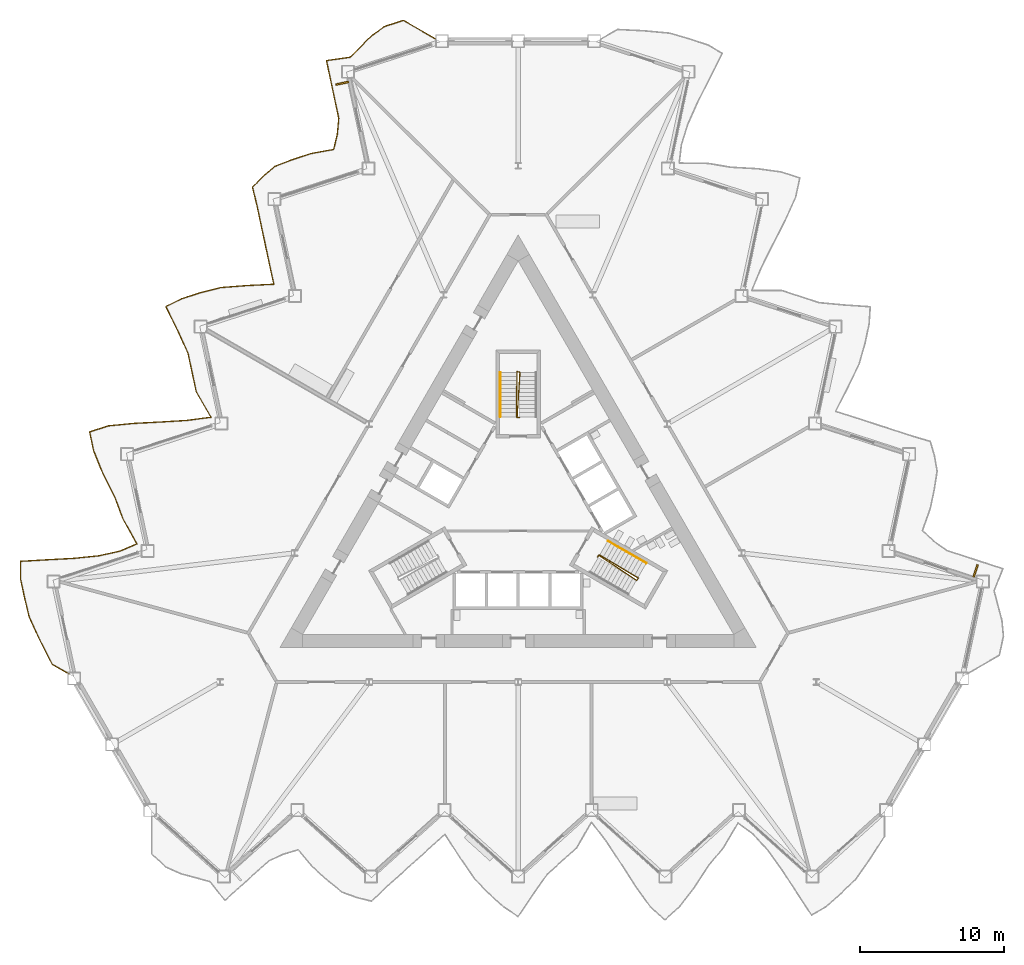
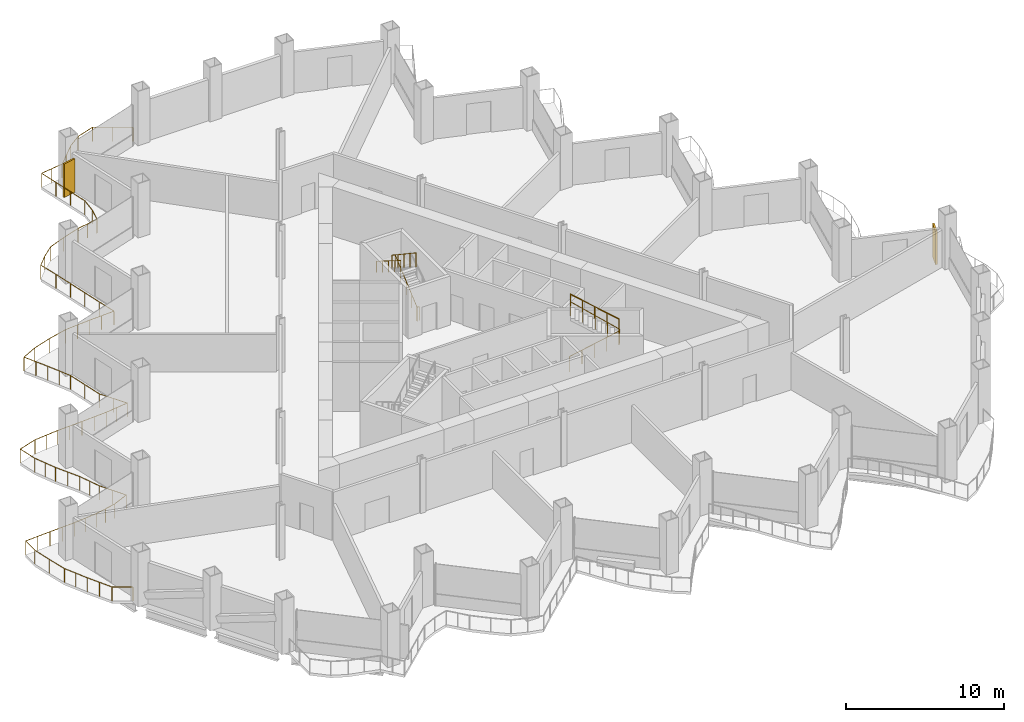
# One storey, part 18 of 21: 5 railings, 2 shading devices.
"""IFC4 building model written with IfcOpenShell, lengths in metres."""

import ifcopenshell
import ifcopenshell.guid

model = None  # the IFC model being written
_history = None  # IfcOwnerHistory: only IFC2X3 demands one
_inside = {}  # id of a spatial element -> (the spatial element, [elements in it])
_under = {}  # id of a project, library or spatial element -> (it, [spatial elements below it])
_declared = {}  # id of a project -> (the project, [libraries it declares])
_typed = {}  # id of a type object -> (the type object, [elements of that type])
_made_of = {}  # id of a material, layer set ... -> (it, [elements and type objects made of it])


def new_model(schema):
    """Start an empty IFC model of exactly this schema.

    Asked for "IFC4X3", IfcOpenShell would pick the latest addendum, in which some entities
    have other attributes; the version numbers below select the first issue.
    IFC2X3 requires an IfcOwnerHistory on every rooted entity: one is made here for all.
    """
    global model, _history
    if schema == "IFC4X3":
        model = ifcopenshell.file(schema_version=(4, 3, 0, 0))
    else:
        model = ifcopenshell.file(schema=schema)
    _inside.clear()
    _under.clear()
    _declared.clear()
    _typed.clear()
    _made_of.clear()
    _history = None
    if model.schema == "IFC2X3":
        org = make("IfcOrganization", Name="unknown")
        user = make(
            "IfcPersonAndOrganization",
            ThePerson=make("IfcPerson", FamilyName="unknown"),
            TheOrganization=org,
        )
        app = make(
            "IfcApplication",
            ApplicationDeveloper=org,
            Version="unknown",
            ApplicationFullName="unknown",
            ApplicationIdentifier="unknown",
        )
        _history = make(
            "IfcOwnerHistory",
            OwningUser=user,
            OwningApplication=app,
            ChangeAction="ADDED",
            CreationDate=0,
        )
    return model


def make(cls, **values):
    """One entity of the class cls with the attributes given. An attribute that is None is left unset."""
    return model.create_entity(
        cls, **{name: value for name, value in values.items() if value is not None}
    )


def rooted(cls, **values):
    """An entity with a GlobalId (a new one), such as an element, a storey or a relation."""
    return make(cls, GlobalId=ifcopenshell.guid.new(), OwnerHistory=_history, **values)


def si_unit(unit_type, name, prefix=None):
    """IfcSIUnit, for example si_unit("LENGTHUNIT", "METRE", prefix="MILLI")."""
    return make("IfcSIUnit", UnitType=unit_type, Prefix=prefix, Name=name)


def assignment(units):
    """IfcUnitAssignment: the units of a project."""
    return None if units is None else make("IfcUnitAssignment", Units=units)


def point(xyz):
    """IfcCartesianPoint."""
    return None if xyz is None else make("IfcCartesianPoint", Coordinates=xyz)


def direction(xyz):
    """IfcDirection."""
    return None if xyz is None else make("IfcDirection", DirectionRatios=xyz)


def frame(location, z_axis=None, x_axis=None):
    """IfcAxis2Placement3D, a coordinate frame: its origin and axes. An axis left out is left unset."""
    return make(
        "IfcAxis2Placement3D",
        Location=point(location),
        Axis=direction(z_axis),
        RefDirection=direction(x_axis),
    )


def frame_2d(location, x_axis=None):
    """IfcAxis2Placement2D, a coordinate frame in the plane: its origin and x axis."""
    return make(
        "IfcAxis2Placement2D", Location=point(location), RefDirection=direction(x_axis)
    )


def origin():
    """The frame at (0, 0, 0) with its axes left unset."""
    return frame((0.0, 0.0, 0.0))


def origin_2d():
    """The frame at (0, 0) in the plane with its x axis left unset."""
    return frame_2d((0.0, 0.0))


def place(relative_to, where):
    """IfcLocalPlacement: puts the frame where relative to a parent placement (None: the world)."""
    return make(
        "IfcLocalPlacement", PlacementRelTo=relative_to, RelativePlacement=where
    )


def context(
    kind, dimensions, precision=None, world=None, true_north=None, identifier=None
):
    """IfcGeometricRepresentationContext, for example the 3D "Model" context."""
    return make(
        "IfcGeometricRepresentationContext",
        ContextIdentifier=identifier,
        ContextType=kind,
        CoordinateSpaceDimension=dimensions,
        Precision=precision,
        WorldCoordinateSystem=world,
        TrueNorth=true_north,
    )


def subcontext(parent, identifier, kind, view, scale=None):
    """IfcGeometricRepresentationSubContext, for example "Body" below "Model"."""
    return make(
        "IfcGeometricRepresentationSubContext",
        ContextIdentifier=identifier,
        ContextType=kind,
        ParentContext=parent,
        TargetScale=scale,
        TargetView=view,
    )


def project(units=None, contexts=None):
    """IfcProject with its units and contexts."""
    return rooted(
        "IfcProject",
        Name="project",
        RepresentationContexts=contexts,
        UnitsInContext=assignment(units),
    )


def spatial(cls, under=None, at=None, **own):
    """A site, building, storey or space (cls), placed at a placement, below another one or the project."""
    s = rooted(cls, ObjectPlacement=at, **own)
    if under is not None:
        _under.setdefault(under.id(), (under, []))[1].append(s)
    return s


def profile(cls, at=None, kind="AREA", **sizes):
    """A parametric profile (cls). Its sizes go by their IFC names, for example OverallWidth=200.0."""
    return make(cls, ProfileType=kind, Position=at, **sizes)


def rectangle(**sizes):
    """IfcRectangleProfileDef."""
    return profile("IfcRectangleProfileDef", **sizes)


def circle(**sizes):
    """IfcCircleProfileDef."""
    return profile("IfcCircleProfileDef", **sizes)


def extrude(swept, where, along, depth):
    """IfcExtrudedAreaSolid: the profile swept, set in the frame where, extruded along a direction by depth."""
    return make(
        "IfcExtrudedAreaSolid",
        SweptArea=swept,
        Position=where,
        ExtrudedDirection=direction(along),
        Depth=depth,
    )


def shape(context_of_items, identifier, shape_type, items):
    """IfcShapeRepresentation: the items that make up one representation, for example the "Body"."""
    return make(
        "IfcShapeRepresentation",
        ContextOfItems=context_of_items,
        RepresentationIdentifier=identifier,
        RepresentationType=shape_type,
        Items=items,
    )


def material(Name=None, Category=None):
    """IfcMaterial."""
    return make("IfcMaterial", Name=Name, Category=Category)


def layer(
    of_material, thickness, ventilated=None, Name=None, Category=None, Priority=None
):
    """IfcMaterialLayer: one layer of a wall or slab, of a material (None: an air gap)."""
    return make(
        "IfcMaterialLayer",
        Material=of_material,
        LayerThickness=thickness,
        IsVentilated=ventilated,
        Name=Name,
        Category=Category,
        Priority=Priority,
    )


def layer_set(layers, Name=None):
    """IfcMaterialLayerSet."""
    return make("IfcMaterialLayerSet", MaterialLayers=layers, LayerSetName=Name)


def made_of(thing, what):
    """Note that an element or type object is made of a material, layer set ...; save() writes the relation."""
    if what is not None:
        _made_of.setdefault(what.id(), (what, []))[1].append(thing)
    return thing


def type_object(cls, material=None, **own):
    """A type object (cls), such as IfcWallType, which elements share."""
    return made_of(rooted(cls, **own), material)


def element(
    cls,
    number,
    at=None,
    inside=None,
    cuts=None,
    type_object=None,
    material=None,
    context=None,
    identifier="Body",
    shape_type=None,
    held_by="IfcProductDefinitionShape",
    body=None,
    shapes=None,
    **own,
):
    """One element of the class cls, such as IfcWall. Its Tag is "e" and its number.

    at: its placement. inside: the storey or other place that contains it. cuts: it is an
    opening in that element (IfcRelVoidsElement). A single representation is given by context,
    identifier, shape_type and body (its items); several are given by shapes. held_by: the class
    of the entity that holds the representations. save() writes the other relations.
    """
    e = rooted(cls, Tag="e%d" % number, ObjectPlacement=at, **own)
    if body is not None:
        shapes = [shape(context, identifier, shape_type, body)]
    if shapes is not None:
        e.Representation = make(held_by, Representations=shapes)
    if inside is not None:
        _inside.setdefault(inside.id(), (inside, []))[1].append(e)
    if cuts is not None:
        rooted(
            "IfcRelVoidsElement", RelatingBuildingElement=cuts, RelatedOpeningElement=e
        )
    if type_object is not None:
        _typed.setdefault(type_object.id(), (type_object, []))[1].append(e)
    return made_of(e, material)


def aggregate(whole, parts):
    """IfcRelAggregates: a whole, such as a stair, and the parts it consists of."""
    return rooted("IfcRelAggregates", RelatingObject=whole, RelatedObjects=parts)


def save(model, path):
    """Write the relations noted so far, then the file.

    IfcRelAggregates (storeys below a building ...), IfcRelContainedInSpatialStructure (elements
    in a storey), IfcRelDefinesByType, IfcRelAssociatesMaterial and IfcRelDeclares: one each for
    every whole, place, type object, material and project.
    """
    for whole, parts in _under.values():
        aggregate(whole, parts)
    for where, things in _inside.values():
        rooted(
            "IfcRelContainedInSpatialStructure",
            RelatedElements=things,
            RelatingStructure=where,
        )
    for kind, things in _typed.values():
        rooted("IfcRelDefinesByType", RelatedObjects=things, RelatingType=kind)
    for what, things in _made_of.values():
        rooted("IfcRelAssociatesMaterial", RelatedObjects=things, RelatingMaterial=what)
    for by, libraries in _declared.values():
        rooted("IfcRelDeclares", RelatingContext=by, RelatedDefinitions=libraries)
    model.write(path)


model = new_model("IFC4")

# Units and contexts
model_context = context("Model", 3, precision=1e-05, world=origin(), true_north=direction((0.0, 1.0)))
body_context = subcontext(model_context, "Body", "Model", "MODEL_VIEW")
ifc_project = project(units=[si_unit("LENGTHUNIT", "METRE"), si_unit("AREAUNIT", "SQUARE_METRE"), si_unit("VOLUMEUNIT", "CUBIC_METRE"), si_unit("PLANEANGLEUNIT", "RADIAN"), si_unit("MASSUNIT", "GRAM", prefix="KILO")], contexts=[model_context])

# Site, building, storey
site_placement = place(None, origin())
site = spatial("IfcSite", under=ifc_project, at=site_placement, CompositionType="ELEMENT")
building_placement = place(site_placement, origin())
building = spatial("IfcBuilding", under=site, at=building_placement, Name="Cormorant Prow Tower", CompositionType="ELEMENT")
storey_placement = place(building_placement, frame((0.0, 0.0, 145.800048828125)))
storey = spatial("IfcBuildingStorey", under=building, at=storey_placement, Name="L31", CompositionType="ELEMENT", Elevation=145.800048828125)

# Railings
ifc_material_1 = material(Name="Aluminium 6063-T6", Category="aluminium")
railing_type_1 = type_object("IfcRailingType", Name="Balcony guard 1100", PredefinedType="GUARDRAIL", material=ifc_material_1)
railing_1_placement = place(storey_placement, frame((-5.726806640625, 32.64404296875, 0.0)))
element("IfcRailing", 1, at=railing_1_placement, inside=storey, type_object=railing_type_1, Name="Balcony guard WNW", PredefinedType="GUARDRAIL", context=body_context, shape_type="SweptSolid", body=[
    extrude(circle(Radius=0.02392578125, at=origin_2d()), frame((0.0, 0.0, 1.076171875), z_axis=(-0.866013163002, 0.500021201058, 0.0), x_axis=(-0.500021201058, -0.866013163002, 0.0)), (0.0, 0.0, 1.0), 2.5703125),
    extrude(circle(Radius=0.02392578125, at=origin_2d()), frame((-2.225830078125, 1.28515625, 1.076171875), z_axis=(-0.951048499749, -0.309041665678, 0.0), x_axis=(0.309041665678, -0.951048499749, 0.0)), (0.0, 0.0, 1.0), 1.367431640625),
    extrude(circle(Radius=0.02392578125, at=origin_2d()), frame((-3.5263671875, 0.862548828125, 1.076171875), z_axis=(-0.812934503585, -0.582355126088, 0.0), x_axis=(0.582355126088, -0.812934503585, 0.0)), (0.0, 0.0, 1.0), 1.115966796875),
    extrude(circle(Radius=0.02392578125, at=origin_2d()), frame((-4.43359375, 0.212646484375, 1.076171875), z_axis=(-0.705013730927, -0.709193654233, 0.0), x_axis=(0.709193654233, -0.705013730927, 0.0)), (0.0, 0.0, 1.0), 1.05126953125),
    extrude(circle(Radius=0.02392578125, at=origin_2d()), frame((-5.1748046875, -0.532958984375, 1.076171875), z_axis=(-0.714016120547, -0.700129259208, 0.0), x_axis=(0.700129259208, -0.714016120547, 0.0)), (0.0, 0.0, 1.0), 1.054931640625),
    extrude(circle(Radius=0.02392578125, at=origin_2d()), frame((-5.927978515625, -1.271484375, 1.076171875), z_axis=(-0.9900911966, -0.140425860918, 0.0), x_axis=(0.140425860918, -0.9900911966, 0.0)), (0.0, 0.0, 1.0), 1.648193359375),
    extrude(circle(Radius=0.02392578125, at=origin_2d()), frame((-7.559814453125, -1.5029296875, 1.076171875), z_axis=(0.207980456921, -0.978132981521, 0.0), x_axis=(0.978132981521, 0.207980456921, 0.0)), (0.0, 0.0, 1.0), 1.367431640625),
    extrude(circle(Radius=0.02392578125, at=origin_2d()), frame((-7.275390625, -2.840576171875, 1.076171875), z_axis=(0.207809645624, -0.978169285546, 0.0), x_axis=(0.978169285546, 0.207809645624, 0.0)), (0.0, 0.0, 1.0), 1.367431640625),
    extrude(circle(Radius=0.02392578125, at=origin_2d()), frame((-6.9912109375, -4.17822265625, 1.076171875), z_axis=(0.207980456921, -0.978132981521, 0.0), x_axis=(0.978132981521, 0.207980456921, 0.0)), (0.0, 0.0, 1.0), 1.367431640625),
    extrude(circle(Radius=0.02392578125, at=origin_2d()), frame((-6.706787109375, -5.515869140625, 1.076171875), z_axis=(-0.094829715235, -0.995493508321, 0.0), x_axis=(0.995493508321, -0.094829715235, 0.0)), (0.0, 0.0, 1.0), 1.117431640625),
    extrude(circle(Radius=0.02392578125, at=origin_2d()), frame((-6.812744140625, -6.628173828125, 1.076171875), z_axis=(-0.233094177119, -0.972454165806, 0.0), x_axis=(0.972454165806, -0.233094177119, 0.0)), (0.0, 0.0, 1.0), 1.06005859375),
    extrude(circle(Radius=0.02392578125, at=origin_2d()), frame((-7.059814453125, -7.658935546875, 1.076171875), z_axis=(-0.984030902532, -0.177997704653, 0.0), x_axis=(0.177997704653, -0.984030902532, 0.0)), (0.0, 0.0, 1.0), 1.5732421875),
    extrude(circle(Radius=0.02392578125, at=origin_2d()), frame((-8.60791015625, -7.93896484375, 1.076171875), z_axis=(-0.951100962389, -0.308880169877, 0.0), x_axis=(0.308880169877, -0.951100962389, 0.0)), (0.0, 0.0, 1.0), 1.367431640625),
    extrude(circle(Radius=0.02392578125, at=origin_2d()), frame((-9.908447265625, -8.361328125, 1.076171875), z_axis=(-0.933451442101, -0.358703784812, 0.0), x_axis=(0.358703784812, -0.933451442101, 0.0)), (0.0, 0.0, 1.0), 1.307373046875),
    extrude(circle(Radius=0.02392578125, at=origin_2d()), frame((-11.12890625, -8.830322265625, 1.076171875), z_axis=(-0.765642589831, -0.643266215992, 0.0), x_axis=(0.643266215992, -0.765642589831, 0.0)), (0.0, 0.0, 1.0), 1.081298828125),
    extrude(circle(Radius=0.02392578125, at=origin_2d()), frame((-11.956787109375, -9.52587890625, 1.076171875), z_axis=(-0.694644431751, -0.719353260531, 0.0), x_axis=(0.719353260531, -0.694644431751, 0.0)), (0.0, 0.0, 1.0), 1.04736328125),
    extrude(circle(Radius=0.02392578125, at=origin_2d()), frame((-12.684326171875, -10.279296875, 1.076171875), z_axis=(0.233794627552, -0.972286003256, 0.0), x_axis=(0.972286003256, 0.233794627552, 0.0)), (0.0, 0.0, 1.0), 1.4013671875),
    extrude(circle(Radius=0.02392578125, at=origin_2d()), frame((-12.356689453125, -11.641845703125, 1.076171875), z_axis=(0.207809645624, -0.978169285546, 0.0), x_axis=(0.978169285546, 0.207809645624, 0.0)), (0.0, 0.0, 1.0), 1.367431640625),
    extrude(circle(Radius=0.02392578125, at=origin_2d()), frame((-12.072509765625, -12.9794921875, 1.076171875), z_axis=(0.207980456921, -0.978132981521, 0.0), x_axis=(0.978132981521, 0.207980456921, 0.0)), (0.0, 0.0, 1.0), 1.367431640625),
    extrude(circle(Radius=0.02392578125, at=origin_2d()), frame((-11.7880859375, -14.317138671875, 1.076171875), z_axis=(0.20777336136, -0.978176993345, 0.0), x_axis=(0.978176993345, 0.20777336136, 0.0)), (0.0, 0.0, 1.0), 1.36767578125),
    extrude(circle(Radius=0.02392578125, at=origin_2d()), frame((-11.50390625, -15.655029296875, 1.076171875), z_axis=(0.21601098849, -0.976390932389, 0.0), x_axis=(0.976390932389, 0.21601098849, 0.0)), (0.0, 0.0, 1.0), 1.377685546875),
    extrude(circle(Radius=0.02392578125, at=origin_2d()), frame((-11.206298828125, -17.000244140625, 1.076171875), z_axis=(-0.9988289645, -0.048380777968, 0.0), x_axis=(0.048380777968, -0.9988289645, 0.0)), (0.0, 0.0, 1.0), 1.877197265625),
    extrude(circle(Radius=0.02392578125, at=origin_2d()), frame((-13.081298828125, -17.091064453125, 1.076171875), z_axis=(-0.996949590332, -0.078048153962, 0.0), x_axis=(0.078048153962, -0.996949590332, 0.0)), (0.0, 0.0, 1.0), 1.79541015625),
    extrude(circle(Radius=0.02392578125, at=origin_2d()), frame((-14.871337890625, -17.231201171875, 1.076171875), z_axis=(-0.970230798326, -0.242182158674, 0.0), x_axis=(0.242182158674, -0.970230798326, 0.0)), (0.0, 0.0, 1.0), 1.462646484375),
    extrude(circle(Radius=0.02392578125, at=origin_2d()), frame((-16.29052734375, -17.58544921875, 1.076171875), z_axis=(-0.951048499749, -0.309041665678, 0.0), x_axis=(0.309041665678, -0.951048499749, 0.0)), (0.0, 0.0, 1.0), 1.367431640625),
    extrude(circle(Radius=0.02392578125, at=origin_2d()), frame((-17.591064453125, -18.008056640625, 1.076171875), z_axis=(-0.897518304826, -0.440977201793, 0.0), x_axis=(0.440977201793, -0.897518304826, 0.0)), (0.0, 0.0, 1.0), 1.2236328125),
    extrude(circle(Radius=0.02392578125, at=origin_2d()), frame((-18.689208984375, -18.547607421875, 1.076171875), z_axis=(0.440561392363, -0.897722484713, 0.0), x_axis=(0.897722484713, 0.440561392363, 0.0)), (0.0, 0.0, 1.0), 1.82373046875),
    extrude(circle(Radius=0.02392578125, at=origin_2d()), frame((-17.8857421875, -20.184814453125, 1.076171875), z_axis=(0.416870155565, -0.90896604634, 0.0), x_axis=(0.90896604634, 0.416870155565, 0.0)), (0.0, 0.0, 1.0), 1.755859375),
    extrude(circle(Radius=0.02392578125, at=origin_2d()), frame((-17.15380859375, -21.78076171875, 1.076171875), z_axis=(0.20777336136, -0.978176993345, 0.0), x_axis=(0.978176993345, 0.20777336136, 0.0)), (0.0, 0.0, 1.0), 1.36767578125),
    extrude(circle(Radius=0.02392578125, at=origin_2d()), frame((-16.86962890625, -23.11865234375, 1.076171875), z_axis=(0.208016780712, -0.978125257287, 0.0), x_axis=(0.978125257287, 0.208016780712, 0.0)), (0.0, 0.0, 1.0), 1.367431640625),
    extrude(circle(Radius=0.02392578125, at=origin_2d()), frame((-16.585205078125, -24.4560546875, 1.076171875), z_axis=(0.500946487943, -0.865478258662, 0.0), x_axis=(0.865478258662, 0.500946487943, 0.0)), (0.0, 0.0, 1.0), 2.03662109375),
    extrude(circle(Radius=0.02392578125, at=origin_2d()), frame((-15.56494140625, -26.21875, 1.076171875), z_axis=(-0.99159633961, -0.129370395655, 0.0), x_axis=(0.129370395655, -0.99159633961, 0.0)), (0.0, 0.0, 1.0), 1.672119140625),
    extrude(circle(Radius=0.02392578125, at=origin_2d()), frame((-17.222900390625, -26.43505859375, 1.076171875), z_axis=(-0.998138288714, -0.060991446972, 0.0), x_axis=(0.060991446972, -0.998138288714, 0.0)), (0.0, 0.0, 1.0), 1.84130859375),
    extrude(circle(Radius=0.02392578125, at=origin_2d()), frame((-19.060791015625, -26.54736328125, 1.076171875), z_axis=(-0.998674264812, -0.051475361111, 0.0), x_axis=(0.051475361111, -0.998674264812, 0.0)), (0.0, 0.0, 1.0), 1.86865234375),
    extrude(circle(Radius=0.02392578125, at=origin_2d()), frame((-20.927001953125, -26.6435546875, 1.076171875), z_axis=(-0.99515977952, -0.098270103421, 0.0), x_axis=(0.098270103421, -0.99515977952, 0.0)), (0.0, 0.0, 1.0), 1.744140625),
    extrude(circle(Radius=0.02392578125, at=origin_2d()), frame((-22.66259765625, -26.81494140625, 1.076171875), z_axis=(-0.952925780013, -0.303203657277, 0.0), x_axis=(0.303203657277, -0.952925780013, 0.0)), (0.0, 0.0, 1.0), 1.375244140625),
    extrude(circle(Radius=0.02392578125, at=origin_2d()), frame((-23.97314453125, -27.23193359375, 1.076171875), z_axis=(0.208016780712, -0.978125257287, 0.0), x_axis=(0.978125257287, 0.208016780712, 0.0)), (0.0, 0.0, 1.0), 1.367431640625),
    extrude(circle(Radius=0.02392578125, at=origin_2d()), frame((-23.688720703125, -28.5693359375, 1.076171875), z_axis=(0.378254719551, -0.925701554032, 0.0), x_axis=(0.925701554032, 0.378254719551, 0.0)), (0.0, 0.0, 1.0), 1.659423828125),
    extrude(circle(Radius=0.02392578125, at=origin_2d()), frame((-23.06103515625, -30.10546875, 1.076171875), z_axis=(0.450579240116, -0.89273643836, 0.0), x_axis=(0.89273643836, 0.450579240116, 0.0)), (0.0, 0.0, 1.0), 1.855224609375),
    extrude(circle(Radius=0.02392578125, at=origin_2d()), frame((-22.22509765625, -31.76171875, 1.076171875), z_axis=(0.34974879663, -0.936843519087, 0.0), x_axis=(0.936843519087, 0.34974879663, 0.0)), (0.0, 0.0, 1.0), 1.596435546875),
    extrude(circle(Radius=0.02392578125, at=origin_2d()), frame((-21.666748046875, -33.25732421875, 1.076171875), z_axis=(0.48813540488, -0.872767911018, 0.0), x_axis=(0.872767911018, 0.48813540488, 0.0)), (0.0, 0.0, 1.0), 1.986083984375),
    extrude(circle(Radius=0.02392578125, at=origin_2d()), frame((-20.697265625, -34.99072265625, 1.076171875), z_axis=(-0.918245565485, -0.396011466332, 0.0), x_axis=(0.396011466332, -0.918245565485, 0.0)), (0.0, 0.0, 1.0), 1.266845703125),
    extrude(circle(Radius=0.02392578125, at=origin_2d()), frame((-21.860595703125, -35.492431640625, 1.076171875), z_axis=(-0.976229062667, -0.216741360163, 0.0), x_axis=(0.216741360163, -0.976229062667, 0.0)), (0.0, 0.0, 1.0), 1.503662109375),
    extrude(circle(Radius=0.02392578125, at=origin_2d()), frame((-23.32861328125, -35.818359375, 1.076171875), z_axis=(-0.994766043638, -0.102178855077, 0.0), x_axis=(0.102178855077, -0.994766043638, 0.0)), (0.0, 0.0, 1.0), 1.734619140625),
    extrude(circle(Radius=0.02392578125, at=origin_2d()), frame((-25.05419921875, -35.99560546875, 1.076171875), z_axis=(-0.998629730166, -0.052332227442, 0.0), x_axis=(0.052332227442, -0.998629730166, 0.0)), (0.0, 0.0, 1.0), 1.865966796875),
    extrude(circle(Radius=0.02392578125, at=origin_2d()), frame((-26.917724609375, -36.09326171875, 1.076171875), z_axis=(-0.998235392261, -0.059380987166, 0.0), x_axis=(0.059380987166, -0.998235392261, 0.0)), (0.0, 0.0, 1.0), 1.845947265625),
    extrude(circle(Radius=0.02392578125, at=origin_2d()), frame((-28.760498046875, -36.202880859375, 1.076171875), z_axis=(-0.008360911764, -0.999965046966, 0.0), x_axis=(0.999965046966, -0.008360911764, 0.0)), (0.0, 0.0, 1.0), 1.16796875),
    extrude(circle(Radius=0.02392578125, at=origin_2d()), frame((-28.770263671875, -37.370849609375, 1.076171875), z_axis=(0.207980456921, -0.978132981521, 0.0), x_axis=(0.978132981521, 0.207980456921, 0.0)), (0.0, 0.0, 1.0), 1.367431640625),
    extrude(circle(Radius=0.02392578125, at=origin_2d()), frame((-28.48583984375, -38.70849609375, 1.076171875), z_axis=(0.234209285535, -0.972186201594, 0.0), x_axis=(0.972186201594, 0.234209285535, 0.0)), (0.0, 0.0, 1.0), 1.402099609375),
    extrude(circle(Radius=0.02392578125, at=origin_2d()), frame((-28.157470703125, -40.071533203125, 1.076171875), z_axis=(0.419295333771, -0.907849890168, 0.0), x_axis=(0.907849890168, 0.419295333771, 0.0)), (0.0, 0.0, 1.0), 1.762451171875),
    extrude(circle(Radius=0.02392578125, at=origin_2d()), frame((-27.41845703125, -41.671630859375, 1.076171875), z_axis=(0.456261084709, -0.88984595441, 0.0), x_axis=(0.88984595441, 0.456261084709, 0.0)), (0.0, 0.0, 1.0), 1.873291015625),
    extrude(circle(Radius=0.02392578125, at=origin_2d()), frame((-26.563720703125, -43.338623046875, 1.076171875), z_axis=(0.866018138487, -0.500012583653, 0.0), x_axis=(0.500012583653, 0.866018138487, 0.0)), (0.0, 0.0, 1.0), 1.33544921875),
    extrude(circle(Radius=0.02099609375, at=origin_2d()), origin(), (0.0, 0.0, 1.0), 1.052001953125),
    extrude(circle(Radius=0.02099609375, at=origin_2d()), frame((-1.11279296875, 0.642578125, 0.0)), (0.0, 0.0, 1.0), 1.052001953125),
    extrude(circle(Radius=0.02099609375, at=origin_2d()), frame((-2.225830078125, 1.28515625, 0.0)), (0.0, 0.0, 1.0), 1.052001953125),
    extrude(circle(Radius=0.02099609375, at=origin_2d()), frame((-3.5263671875, 0.862548828125, 0.0)), (0.0, 0.0, 1.0), 1.052001953125),
    extrude(circle(Radius=0.02099609375, at=origin_2d()), frame((-4.43359375, 0.212646484375, 0.0)), (0.0, 0.0, 1.0), 1.052001953125),
    extrude(circle(Radius=0.02099609375, at=origin_2d()), frame((-5.1748046875, -0.532958984375, 0.0)), (0.0, 0.0, 1.0), 1.052001953125),
    extrude(circle(Radius=0.02099609375, at=origin_2d()), frame((-5.927978515625, -1.271484375, 0.0)), (0.0, 0.0, 1.0), 1.052001953125),
    extrude(circle(Radius=0.02099609375, at=origin_2d()), frame((-6.743896484375, -1.38720703125, 0.0)), (0.0, 0.0, 1.0), 1.052001953125),
    extrude(circle(Radius=0.02099609375, at=origin_2d()), frame((-7.559814453125, -1.5029296875, 0.0)), (0.0, 0.0, 1.0), 1.052001953125),
    extrude(circle(Radius=0.02099609375, at=origin_2d()), frame((-7.275390625, -2.840576171875, 0.0)), (0.0, 0.0, 1.0), 1.052001953125),
    extrude(circle(Radius=0.02099609375, at=origin_2d()), frame((-6.9912109375, -4.17822265625, 0.0)), (0.0, 0.0, 1.0), 1.052001953125),
    extrude(circle(Radius=0.02099609375, at=origin_2d()), frame((-6.706787109375, -5.515869140625, 0.0)), (0.0, 0.0, 1.0), 1.052001953125),
    extrude(circle(Radius=0.02099609375, at=origin_2d()), frame((-6.812744140625, -6.628173828125, 0.0)), (0.0, 0.0, 1.0), 1.052001953125),
    extrude(circle(Radius=0.02099609375, at=origin_2d()), frame((-7.059814453125, -7.658935546875, 0.0)), (0.0, 0.0, 1.0), 1.052001953125),
    extrude(circle(Radius=0.02099609375, at=origin_2d()), frame((-7.833984375, -7.798828125, 0.0)), (0.0, 0.0, 1.0), 1.052001953125),
    extrude(circle(Radius=0.02099609375, at=origin_2d()), frame((-8.60791015625, -7.93896484375, 0.0)), (0.0, 0.0, 1.0), 1.052001953125),
    extrude(circle(Radius=0.02099609375, at=origin_2d()), frame((-9.908447265625, -8.361328125, 0.0)), (0.0, 0.0, 1.0), 1.052001953125),
    extrude(circle(Radius=0.02099609375, at=origin_2d()), frame((-11.12890625, -8.830322265625, 0.0)), (0.0, 0.0, 1.0), 1.052001953125),
    extrude(circle(Radius=0.02099609375, at=origin_2d()), frame((-11.956787109375, -9.52587890625, 0.0)), (0.0, 0.0, 1.0), 1.052001953125),
    extrude(circle(Radius=0.02099609375, at=origin_2d()), frame((-12.684326171875, -10.279296875, 0.0)), (0.0, 0.0, 1.0), 1.052001953125),
    extrude(circle(Radius=0.02099609375, at=origin_2d()), frame((-12.356689453125, -11.641845703125, 0.0)), (0.0, 0.0, 1.0), 1.052001953125),
    extrude(circle(Radius=0.02099609375, at=origin_2d()), frame((-12.072509765625, -12.9794921875, 0.0)), (0.0, 0.0, 1.0), 1.052001953125),
    extrude(circle(Radius=0.02099609375, at=origin_2d()), frame((-11.7880859375, -14.317138671875, 0.0)), (0.0, 0.0, 1.0), 1.052001953125),
    extrude(circle(Radius=0.02099609375, at=origin_2d()), frame((-11.50390625, -15.655029296875, 0.0)), (0.0, 0.0, 1.0), 1.052001953125),
    extrude(circle(Radius=0.02099609375, at=origin_2d()), frame((-11.206298828125, -17.000244140625, 0.0)), (0.0, 0.0, 1.0), 1.052001953125),
    extrude(circle(Radius=0.02099609375, at=origin_2d()), frame((-12.143798828125, -17.045654296875, 0.0)), (0.0, 0.0, 1.0), 1.052001953125),
    extrude(circle(Radius=0.02099609375, at=origin_2d()), frame((-13.081298828125, -17.091064453125, 0.0)), (0.0, 0.0, 1.0), 1.052001953125),
    extrude(circle(Radius=0.02099609375, at=origin_2d()), frame((-13.976318359375, -17.1611328125, 0.0)), (0.0, 0.0, 1.0), 1.052001953125),
    extrude(circle(Radius=0.02099609375, at=origin_2d()), frame((-14.871337890625, -17.231201171875, 0.0)), (0.0, 0.0, 1.0), 1.052001953125),
    extrude(circle(Radius=0.02099609375, at=origin_2d()), frame((-16.29052734375, -17.58544921875, 0.0)), (0.0, 0.0, 1.0), 1.052001953125),
    extrude(circle(Radius=0.02099609375, at=origin_2d()), frame((-17.591064453125, -18.008056640625, 0.0)), (0.0, 0.0, 1.0), 1.052001953125),
    extrude(circle(Radius=0.02099609375, at=origin_2d()), frame((-18.689208984375, -18.547607421875, 0.0)), (0.0, 0.0, 1.0), 1.052001953125),
    extrude(circle(Radius=0.02099609375, at=origin_2d()), frame((-18.28759765625, -19.3662109375, 0.0)), (0.0, 0.0, 1.0), 1.052001953125),
    extrude(circle(Radius=0.02099609375, at=origin_2d()), frame((-17.8857421875, -20.184814453125, 0.0)), (0.0, 0.0, 1.0), 1.052001953125),
    extrude(circle(Radius=0.02099609375, at=origin_2d()), frame((-17.519775390625, -20.98291015625, 0.0)), (0.0, 0.0, 1.0), 1.052001953125),
    extrude(circle(Radius=0.02099609375, at=origin_2d()), frame((-17.15380859375, -21.78076171875, 0.0)), (0.0, 0.0, 1.0), 1.052001953125),
    extrude(circle(Radius=0.02099609375, at=origin_2d()), frame((-16.86962890625, -23.11865234375, 0.0)), (0.0, 0.0, 1.0), 1.052001953125),
    extrude(circle(Radius=0.02099609375, at=origin_2d()), frame((-16.585205078125, -24.4560546875, 0.0)), (0.0, 0.0, 1.0), 1.052001953125),
    extrude(circle(Radius=0.02099609375, at=origin_2d()), frame((-16.0751953125, -25.33740234375, 0.0)), (0.0, 0.0, 1.0), 1.052001953125),
    extrude(circle(Radius=0.02099609375, at=origin_2d()), frame((-15.56494140625, -26.21875, 0.0)), (0.0, 0.0, 1.0), 1.052001953125),
    extrude(circle(Radius=0.02099609375, at=origin_2d()), frame((-16.39404296875, -26.326904296875, 0.0)), (0.0, 0.0, 1.0), 1.052001953125),
    extrude(circle(Radius=0.02099609375, at=origin_2d()), frame((-17.222900390625, -26.43505859375, 0.0)), (0.0, 0.0, 1.0), 1.052001953125),
    extrude(circle(Radius=0.02099609375, at=origin_2d()), frame((-18.141845703125, -26.4912109375, 0.0)), (0.0, 0.0, 1.0), 1.052001953125),
    extrude(circle(Radius=0.02099609375, at=origin_2d()), frame((-19.060791015625, -26.54736328125, 0.0)), (0.0, 0.0, 1.0), 1.052001953125),
    extrude(circle(Radius=0.02099609375, at=origin_2d()), frame((-19.993896484375, -26.595458984375, 0.0)), (0.0, 0.0, 1.0), 1.052001953125),
    extrude(circle(Radius=0.02099609375, at=origin_2d()), frame((-20.927001953125, -26.6435546875, 0.0)), (0.0, 0.0, 1.0), 1.052001953125),
    extrude(circle(Radius=0.02099609375, at=origin_2d()), frame((-21.794921875, -26.729248046875, 0.0)), (0.0, 0.0, 1.0), 1.052001953125),
    extrude(circle(Radius=0.02099609375, at=origin_2d()), frame((-22.66259765625, -26.81494140625, 0.0)), (0.0, 0.0, 1.0), 1.052001953125),
    extrude(circle(Radius=0.02099609375, at=origin_2d()), frame((-23.97314453125, -27.23193359375, 0.0)), (0.0, 0.0, 1.0), 1.052001953125),
    extrude(circle(Radius=0.02099609375, at=origin_2d()), frame((-23.688720703125, -28.5693359375, 0.0)), (0.0, 0.0, 1.0), 1.052001953125),
    extrude(circle(Radius=0.02099609375, at=origin_2d()), frame((-23.375, -29.33740234375, 0.0)), (0.0, 0.0, 1.0), 1.052001953125),
    extrude(circle(Radius=0.02099609375, at=origin_2d()), frame((-23.06103515625, -30.10546875, 0.0)), (0.0, 0.0, 1.0), 1.052001953125),
    extrude(circle(Radius=0.02099609375, at=origin_2d()), frame((-22.64306640625, -30.93359375, 0.0)), (0.0, 0.0, 1.0), 1.052001953125),
    extrude(circle(Radius=0.02099609375, at=origin_2d()), frame((-22.22509765625, -31.76171875, 0.0)), (0.0, 0.0, 1.0), 1.052001953125),
    extrude(circle(Radius=0.02099609375, at=origin_2d()), frame((-21.94580078125, -32.509521484375, 0.0)), (0.0, 0.0, 1.0), 1.052001953125),
    extrude(circle(Radius=0.02099609375, at=origin_2d()), frame((-21.666748046875, -33.25732421875, 0.0)), (0.0, 0.0, 1.0), 1.052001953125),
    extrude(circle(Radius=0.02099609375, at=origin_2d()), frame((-21.18212890625, -34.1240234375, 0.0)), (0.0, 0.0, 1.0), 1.052001953125),
    extrude(circle(Radius=0.02099609375, at=origin_2d()), frame((-20.697265625, -34.99072265625, 0.0)), (0.0, 0.0, 1.0), 1.052001953125),
    extrude(circle(Radius=0.02099609375, at=origin_2d()), frame((-21.860595703125, -35.492431640625, 0.0)), (0.0, 0.0, 1.0), 1.052001953125),
    extrude(circle(Radius=0.02099609375, at=origin_2d()), frame((-22.5947265625, -35.6552734375, 0.0)), (0.0, 0.0, 1.0), 1.052001953125),
    extrude(circle(Radius=0.02099609375, at=origin_2d()), frame((-23.32861328125, -35.818359375, 0.0)), (0.0, 0.0, 1.0), 1.052001953125),
    extrude(circle(Radius=0.02099609375, at=origin_2d()), frame((-24.19140625, -35.906982421875, 0.0)), (0.0, 0.0, 1.0), 1.052001953125),
    extrude(circle(Radius=0.02099609375, at=origin_2d()), frame((-25.05419921875, -35.99560546875, 0.0)), (0.0, 0.0, 1.0), 1.052001953125),
    extrude(circle(Radius=0.02099609375, at=origin_2d()), frame((-25.98583984375, -36.04443359375, 0.0)), (0.0, 0.0, 1.0), 1.052001953125),
    extrude(circle(Radius=0.02099609375, at=origin_2d()), frame((-26.917724609375, -36.09326171875, 0.0)), (0.0, 0.0, 1.0), 1.052001953125),
    extrude(circle(Radius=0.02099609375, at=origin_2d()), frame((-27.839111328125, -36.14794921875, 0.0)), (0.0, 0.0, 1.0), 1.052001953125),
    extrude(circle(Radius=0.02099609375, at=origin_2d()), frame((-28.760498046875, -36.202880859375, 0.0)), (0.0, 0.0, 1.0), 1.052001953125),
    extrude(circle(Radius=0.02099609375, at=origin_2d()), frame((-28.770263671875, -37.370849609375, 0.0)), (0.0, 0.0, 1.0), 1.052001953125),
    extrude(circle(Radius=0.02099609375, at=origin_2d()), frame((-28.48583984375, -38.70849609375, 0.0)), (0.0, 0.0, 1.0), 1.052001953125),
    extrude(circle(Radius=0.02099609375, at=origin_2d()), frame((-28.157470703125, -40.071533203125, 0.0)), (0.0, 0.0, 1.0), 1.052001953125),
    extrude(circle(Radius=0.02099609375, at=origin_2d()), frame((-27.7880859375, -40.87158203125, 0.0)), (0.0, 0.0, 1.0), 1.052001953125),
    extrude(circle(Radius=0.02099609375, at=origin_2d()), frame((-27.41845703125, -41.671630859375, 0.0)), (0.0, 0.0, 1.0), 1.052001953125),
    extrude(circle(Radius=0.02099609375, at=origin_2d()), frame((-26.9912109375, -42.505126953125, 0.0)), (0.0, 0.0, 1.0), 1.052001953125),
    extrude(circle(Radius=0.02099609375, at=origin_2d()), frame((-26.563720703125, -43.338623046875, 0.0)), (0.0, 0.0, 1.0), 1.052001953125),
    extrude(circle(Radius=0.02099609375, at=origin_2d()), frame((-25.4072265625, -44.00634765625, 0.0)), (0.0, 0.0, 1.0), 1.052001953125),
])
ifc_material_2 = material(Name="Stainless steel", Category="steel")
railing_type_2 = type_object("IfcRailingType", Name="Stair guard 1100", PredefinedType="GUARDRAIL", material=ifc_material_2)
railing_2_placement = place(storey_placement, frame((5.510009765625, -3.267822265625, 0.0)))
element("IfcRailing", 2, at=railing_2_placement, inside=storey, type_object=railing_type_2, Name="L31 ST2 stair guard 1", PredefinedType="GUARDRAIL", context=body_context, shape_type="SweptSolid", body=[
    extrude(circle(Radius=0.02392578125, at=origin_2d()), frame((0.0, 0.0, 1.076171875), z_axis=(0.501036270542, 0.865426285481, 0.0), x_axis=(-0.865426285481, 0.501036270542, 0.0)), (0.0, 0.0, 1.0), 0.150146484375),
    extrude(circle(Radius=0.02392578125, at=origin_2d()), frame((0.0751953125, 0.1298828125, 1.076171875), z_axis=(0.691655524431, -0.460543096787, 0.55633864824), x_axis=(0.554233058506, 0.832361530141, 0.0)), (0.0, 0.0, 1.0), 3.7744140625),
    extrude(circle(Radius=0.02392578125, at=origin_2d()), frame((2.685791015625, -1.6083984375, 3.17578125), z_axis=(0.695164929852, 0.718850276695, 0.0), x_axis=(-0.718850276695, 0.695164929852, 0.0)), (0.0, 0.0, 1.0), 0.2060546875),
    extrude(circle(Radius=0.02392578125, at=origin_2d()), frame((2.8291015625, -1.460205078125, 3.17578125), z_axis=(-0.712463317363, 0.426661970256, 0.557095669117), x_axis=(-0.513773053629, -0.857926132814, 0.0)), (0.0, 0.0, 1.0), 3.769775390625),
    extrude(circle(Radius=0.02099609375, at=origin_2d()), origin(), (0.0, 0.0, 1.0), 1.052001953125),
    extrude(circle(Radius=0.02099609375, at=origin_2d()), frame((0.0751953125, 0.1298828125, 0.0)), (0.0, 0.0, 1.0), 1.052001953125),
    extrude(circle(Radius=0.02099609375, at=origin_2d()), frame((0.727783203125, -0.3046875, 0.52490234375)), (0.0, 0.0, 1.0), 1.052001953125),
    extrude(circle(Radius=0.02099609375, at=origin_2d()), frame((1.38037109375, -0.7392578125, 1.0498046875)), (0.0, 0.0, 1.0), 1.052001953125),
    extrude(circle(Radius=0.02099609375, at=origin_2d()), frame((2.033203125, -1.173828125, 1.574951171875)), (0.0, 0.0, 1.0), 1.052001953125),
    extrude(circle(Radius=0.02099609375, at=origin_2d()), frame((2.685791015625, -1.6083984375, 2.099853515625)), (0.0, 0.0, 1.0), 1.052001953125),
    extrude(circle(Radius=0.02099609375, at=origin_2d()), frame((2.8291015625, -1.460205078125, 2.099853515625)), (0.0, 0.0, 1.0), 1.052001953125),
    extrude(circle(Radius=0.02099609375, at=origin_2d()), frame((2.15771484375, -1.05810546875, 2.625)), (0.0, 0.0, 1.0), 1.052001953125),
    extrude(circle(Radius=0.02099609375, at=origin_2d()), frame((1.486328125, -0.656005859375, 3.14990234375)), (0.0, 0.0, 1.0), 1.052001953125),
    extrude(circle(Radius=0.02099609375, at=origin_2d()), frame((0.814697265625, -0.25390625, 3.6748046875)), (0.0, 0.0, 1.0), 1.052001953125),
    extrude(circle(Radius=0.02099609375, at=origin_2d()), frame((0.143310546875, 0.148193359375, 4.199951171875)), (0.0, 0.0, 1.0), 1.052001953125),
])
railing_3_placement = place(storey_placement, frame((0.074951171875, 6.40576171875, 0.0)))
element("IfcRailing", 3, at=railing_3_placement, inside=storey, type_object=railing_type_2, Name="L31 ST3 stair guard 1", PredefinedType="GUARDRAIL", context=body_context, shape_type="SweptSolid", body=[
    extrude(circle(Radius=0.02392578125, at=origin_2d()), frame((0.0, 0.0, 1.076171875), z_axis=(-1.0, 0.0, 0.0), x_axis=(0.0, -1.0, 0.0)), (0.0, 0.0, 1.0), 0.14990234375),
    extrude(circle(Radius=0.02392578125, at=origin_2d()), frame((-0.14990234375, 0.0, 1.076171875), z_axis=(0.052973824345, 0.829276437025, 0.556322177276), x_axis=(-0.997965923181, 0.063749636618, 0.0)), (0.0, 0.0, 1.0), 3.7744140625),
    extrude(circle(Radius=0.02392578125, at=origin_2d()), frame((0.050048828125, 3.130126953125, 3.17578125), z_axis=(-0.970072785993, 0.242814311512, 0.0), x_axis=(-0.242814311512, -0.970072785993, 0.0)), (0.0, 0.0, 1.0), 0.2060546875),
    extrude(circle(Radius=0.02392578125, at=origin_2d()), frame((-0.14990234375, 3.18017578125, 3.17578125), z_axis=(-0.013276620939, -0.830339302729, 0.557099967403), x_axis=(0.999872194171, -0.015987348866, 0.0)), (0.0, 0.0, 1.0), 3.769775390625),
    extrude(circle(Radius=0.02099609375, at=origin_2d()), origin(), (0.0, 0.0, 1.0), 1.052001953125),
    extrude(circle(Radius=0.02099609375, at=origin_2d()), frame((-0.14990234375, 0.0, 0.0)), (0.0, 0.0, 1.0), 1.052001953125),
    extrude(circle(Radius=0.02099609375, at=origin_2d()), frame((-0.099853515625, 0.782470703125, 0.52490234375)), (0.0, 0.0, 1.0), 1.052001953125),
    extrude(circle(Radius=0.02099609375, at=origin_2d()), frame((-0.0498046875, 1.56494140625, 1.0498046875)), (0.0, 0.0, 1.0), 1.052001953125),
    extrude(circle(Radius=0.02099609375, at=origin_2d()), frame((0.0, 2.34765625, 1.574951171875)), (0.0, 0.0, 1.0), 1.052001953125),
    extrude(circle(Radius=0.02099609375, at=origin_2d()), frame((0.050048828125, 3.130126953125, 2.099853515625)), (0.0, 0.0, 1.0), 1.052001953125),
    extrude(circle(Radius=0.02099609375, at=origin_2d()), frame((-0.14990234375, 3.18017578125, 2.099853515625)), (0.0, 0.0, 1.0), 1.052001953125),
    extrude(circle(Radius=0.02099609375, at=origin_2d()), frame((-0.162353515625, 2.397705078125, 2.625)), (0.0, 0.0, 1.0), 1.052001953125),
    extrude(circle(Radius=0.02099609375, at=origin_2d()), frame((-0.1748046875, 1.615234375, 3.14990234375)), (0.0, 0.0, 1.0), 1.052001953125),
    extrude(circle(Radius=0.02099609375, at=origin_2d()), frame((-0.1875, 0.83251953125, 3.6748046875)), (0.0, 0.0, 1.0), 1.052001953125),
    extrude(circle(Radius=0.02099609375, at=origin_2d()), frame((-0.199951171875, 0.050048828125, 4.199951171875)), (0.0, 0.0, 1.0), 1.052001953125),
])
ifc_material_3 = material(Name="Stainless steel", Category="steel")
railing_type_3 = type_object("IfcRailingType", Name="Stair handrail 900", PredefinedType="HANDRAIL", material=ifc_material_3)
railing_4_placement = place(storey_placement, frame((8.88037109375, -3.690673828125, 2.27490234375)))
element("IfcRailing", 4, at=railing_4_placement, inside=storey, type_object=railing_type_3, Name="L31 ST2 stair handrail 2", PredefinedType="HANDRAIL", context=body_context, shape_type="SweptSolid", body=[
    extrude(circle(Radius=0.02392578125, at=origin_2d()), frame((0.0, 0.0, 0.8759765625), z_axis=(-0.734394994316, 0.423994474112, 0.52999309264), x_axis=(-0.499992328818, -0.866029832698, 0.0)), (0.0, 0.0, 1.0), 3.63232421875),
    extrude(circle(Radius=0.02099609375, at=origin_2d()), origin(), (0.0, 0.0, 1.0), 0.851806640625),
    extrude(circle(Radius=0.02099609375, at=origin_2d()), frame((-0.6669921875, 0.385009765625, 0.481201171875)), (0.0, 0.0, 1.0), 0.851806640625),
    extrude(circle(Radius=0.02099609375, at=origin_2d()), frame((-1.333740234375, 0.77001953125, 0.96240234375)), (0.0, 0.0, 1.0), 0.851806640625),
    extrude(circle(Radius=0.02099609375, at=origin_2d()), frame((-2.00048828125, 1.155029296875, 1.44384765625)), (0.0, 0.0, 1.0), 0.851806640625),
    extrude(circle(Radius=0.02099609375, at=origin_2d()), frame((-2.66748046875, 1.5400390625, 1.925048828125)), (0.0, 0.0, 1.0), 0.851806640625),
])
railing_5_placement = place(storey_placement, frame((-1.243896484375, 9.535888671875, 2.27490234375)))
element("IfcRailing", 5, at=railing_5_placement, inside=storey, type_object=railing_type_3, Name="L31 ST3 stair handrail 2", PredefinedType="HANDRAIL", context=body_context, shape_type="SweptSolid", body=[
    extrude(circle(Radius=0.02392578125, at=origin_2d()), frame((0.0, 0.0, 0.8759765625), z_axis=(0.0, -0.847998304005, 0.529998940003), x_axis=(1.0, 0.0, 0.0)), (0.0, 0.0, 1.0), 3.632080078125),
    extrude(circle(Radius=0.02099609375, at=origin_2d()), origin(), (0.0, 0.0, 1.0), 0.851806640625),
    extrude(circle(Radius=0.02099609375, at=origin_2d()), frame((0.0, -0.77001953125, 0.481201171875)), (0.0, 0.0, 1.0), 0.851806640625),
    extrude(circle(Radius=0.02099609375, at=origin_2d()), frame((0.0, -1.5400390625, 0.96240234375)), (0.0, 0.0, 1.0), 0.851806640625),
    extrude(circle(Radius=0.02099609375, at=origin_2d()), frame((0.0, -2.31005859375, 1.44384765625)), (0.0, 0.0, 1.0), 0.851806640625),
    extrude(circle(Radius=0.02099609375, at=origin_2d()), frame((0.0, -3.080078125, 1.925048828125)), (0.0, 0.0, 1.0), 0.851806640625),
])

# Shading devices
ifc_material_4 = material(Name="Terracotta", Category="masonry")
ifc_layer = layer(ifc_material_4, 0.1201171875)
ifc_layer_set = layer_set([ifc_layer], Name="Terracotta")
shading_device_type = type_object("IfcShadingDeviceType", Name="Terracotta baguette fin 120x900x2600", PredefinedType="USERDEFINED", material=ifc_layer_set)
for number, where, z_axis, x_axis, name in (
    (6, (31.70361328125, -4.220947265625, 0.0), (0.0, 0.0, 1.0), (-0.951056525065, 0.309016967385, 0.0), "Baguette fin ENE01"),
    (7, (-12.1962890625, 29.566650390625, 0.0), (0.0, 0.0, 1.0), (0.207911666046, -0.978147605999, 0.0), "Baguette fin WNW01"),
):
    element("IfcShadingDevice", number, at=place(storey_placement, frame(where, z_axis=z_axis, x_axis=x_axis)), inside=storey, type_object=shading_device_type, Name=name, ObjectType="BAGUETTE", PredefinedType="USERDEFINED", context=body_context, shape_type="SweptSolid", body=[
        extrude(rectangle(XDim=0.1201171875, YDim=0.89990234375, at=origin_2d()), origin(), (0.0, 0.0, 1.0), 2.60009765625),
    ])

save(model, "model.ifc")
